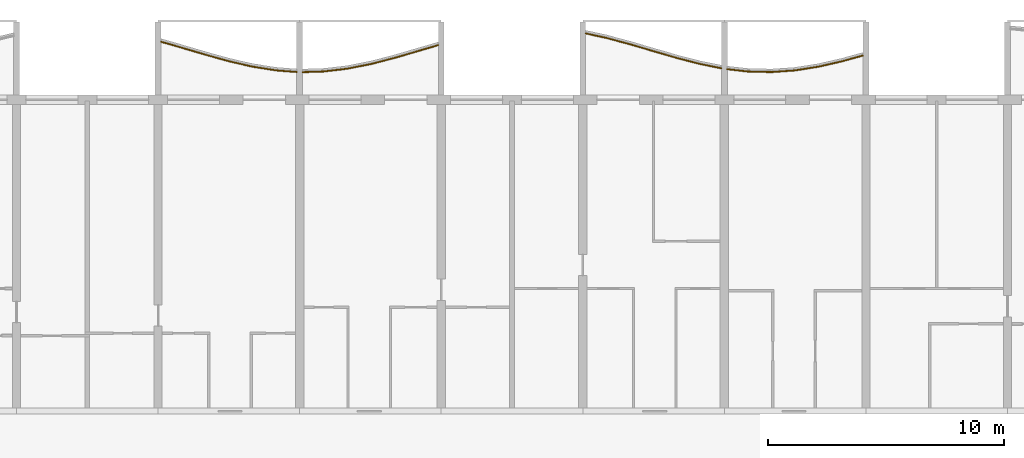
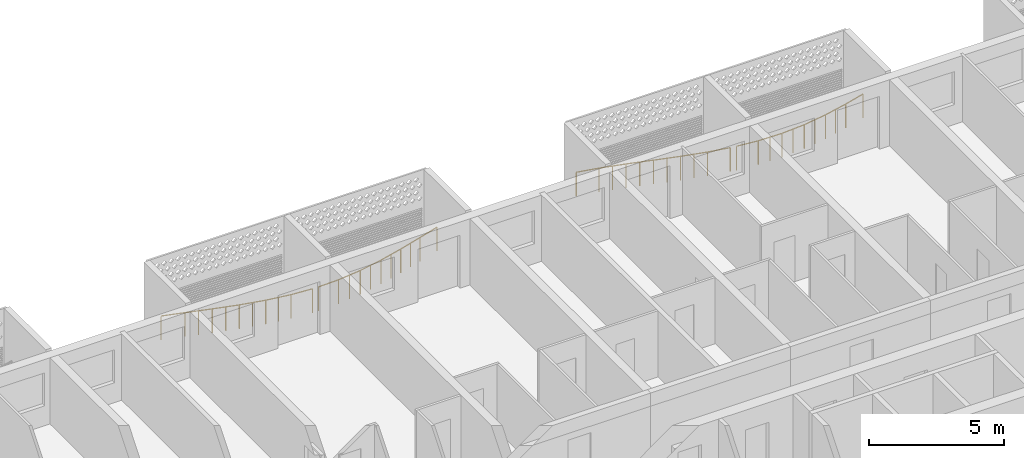
# One storey, part 19 of 24: 4 railings.
"""IFC4 building model written with IfcOpenShell, lengths in metres."""

import ifcopenshell
import ifcopenshell.guid

model = None  # the IFC model being written
_history = None  # IfcOwnerHistory: only IFC2X3 demands one
_inside = {}  # id of a spatial element -> (the spatial element, [elements in it])
_under = {}  # id of a project, library or spatial element -> (it, [spatial elements below it])
_declared = {}  # id of a project -> (the project, [libraries it declares])
_typed = {}  # id of a type object -> (the type object, [elements of that type])
_made_of = {}  # id of a material, layer set ... -> (it, [elements and type objects made of it])


def new_model(schema):
    """Start an empty IFC model of exactly this schema.

    Asked for "IFC4X3", IfcOpenShell would pick the latest addendum, in which some entities
    have other attributes; the version numbers below select the first issue.
    IFC2X3 requires an IfcOwnerHistory on every rooted entity: one is made here for all.
    """
    global model, _history
    if schema == "IFC4X3":
        model = ifcopenshell.file(schema_version=(4, 3, 0, 0))
    else:
        model = ifcopenshell.file(schema=schema)
    _inside.clear()
    _under.clear()
    _declared.clear()
    _typed.clear()
    _made_of.clear()
    _history = None
    if model.schema == "IFC2X3":
        org = make("IfcOrganization", Name="unknown")
        user = make(
            "IfcPersonAndOrganization",
            ThePerson=make("IfcPerson", FamilyName="unknown"),
            TheOrganization=org,
        )
        app = make(
            "IfcApplication",
            ApplicationDeveloper=org,
            Version="unknown",
            ApplicationFullName="unknown",
            ApplicationIdentifier="unknown",
        )
        _history = make(
            "IfcOwnerHistory",
            OwningUser=user,
            OwningApplication=app,
            ChangeAction="ADDED",
            CreationDate=0,
        )
    return model


def make(cls, **values):
    """One entity of the class cls with the attributes given. An attribute that is None is left unset."""
    return model.create_entity(
        cls, **{name: value for name, value in values.items() if value is not None}
    )


def rooted(cls, **values):
    """An entity with a GlobalId (a new one), such as an element, a storey or a relation."""
    return make(cls, GlobalId=ifcopenshell.guid.new(), OwnerHistory=_history, **values)


def si_unit(unit_type, name, prefix=None):
    """IfcSIUnit, for example si_unit("LENGTHUNIT", "METRE", prefix="MILLI")."""
    return make("IfcSIUnit", UnitType=unit_type, Prefix=prefix, Name=name)


def assignment(units):
    """IfcUnitAssignment: the units of a project."""
    return None if units is None else make("IfcUnitAssignment", Units=units)


def point(xyz):
    """IfcCartesianPoint."""
    return None if xyz is None else make("IfcCartesianPoint", Coordinates=xyz)


def direction(xyz):
    """IfcDirection."""
    return None if xyz is None else make("IfcDirection", DirectionRatios=xyz)


def frame(location, z_axis=None, x_axis=None):
    """IfcAxis2Placement3D, a coordinate frame: its origin and axes. An axis left out is left unset."""
    return make(
        "IfcAxis2Placement3D",
        Location=point(location),
        Axis=direction(z_axis),
        RefDirection=direction(x_axis),
    )


def frame_2d(location, x_axis=None):
    """IfcAxis2Placement2D, a coordinate frame in the plane: its origin and x axis."""
    return make(
        "IfcAxis2Placement2D", Location=point(location), RefDirection=direction(x_axis)
    )


def origin():
    """The frame at (0, 0, 0) with its axes left unset."""
    return frame((0.0, 0.0, 0.0))


def origin_2d():
    """The frame at (0, 0) in the plane with its x axis left unset."""
    return frame_2d((0.0, 0.0))


def place(relative_to, where):
    """IfcLocalPlacement: puts the frame where relative to a parent placement (None: the world)."""
    return make(
        "IfcLocalPlacement", PlacementRelTo=relative_to, RelativePlacement=where
    )


def context(
    kind, dimensions, precision=None, world=None, true_north=None, identifier=None
):
    """IfcGeometricRepresentationContext, for example the 3D "Model" context."""
    return make(
        "IfcGeometricRepresentationContext",
        ContextIdentifier=identifier,
        ContextType=kind,
        CoordinateSpaceDimension=dimensions,
        Precision=precision,
        WorldCoordinateSystem=world,
        TrueNorth=true_north,
    )


def subcontext(parent, identifier, kind, view, scale=None):
    """IfcGeometricRepresentationSubContext, for example "Body" below "Model"."""
    return make(
        "IfcGeometricRepresentationSubContext",
        ContextIdentifier=identifier,
        ContextType=kind,
        ParentContext=parent,
        TargetScale=scale,
        TargetView=view,
    )


def project(units=None, contexts=None):
    """IfcProject with its units and contexts."""
    return rooted(
        "IfcProject",
        Name="project",
        RepresentationContexts=contexts,
        UnitsInContext=assignment(units),
    )


def spatial(cls, under=None, at=None, **own):
    """A site, building, storey or space (cls), placed at a placement, below another one or the project."""
    s = rooted(cls, ObjectPlacement=at, **own)
    if under is not None:
        _under.setdefault(under.id(), (under, []))[1].append(s)
    return s


def profile(cls, at=None, kind="AREA", **sizes):
    """A parametric profile (cls). Its sizes go by their IFC names, for example OverallWidth=200.0."""
    return make(cls, ProfileType=kind, Position=at, **sizes)


def circle(**sizes):
    """IfcCircleProfileDef."""
    return profile("IfcCircleProfileDef", **sizes)


def extrude(swept, where, along, depth):
    """IfcExtrudedAreaSolid: the profile swept, set in the frame where, extruded along a direction by depth."""
    return make(
        "IfcExtrudedAreaSolid",
        SweptArea=swept,
        Position=where,
        ExtrudedDirection=direction(along),
        Depth=depth,
    )


def shape(context_of_items, identifier, shape_type, items):
    """IfcShapeRepresentation: the items that make up one representation, for example the "Body"."""
    return make(
        "IfcShapeRepresentation",
        ContextOfItems=context_of_items,
        RepresentationIdentifier=identifier,
        RepresentationType=shape_type,
        Items=items,
    )


def material(Name=None, Category=None):
    """IfcMaterial."""
    return make("IfcMaterial", Name=Name, Category=Category)


def made_of(thing, what):
    """Note that an element or type object is made of a material, layer set ...; save() writes the relation."""
    if what is not None:
        _made_of.setdefault(what.id(), (what, []))[1].append(thing)
    return thing


def type_object(cls, material=None, **own):
    """A type object (cls), such as IfcWallType, which elements share."""
    return made_of(rooted(cls, **own), material)


def element(
    cls,
    number,
    at=None,
    inside=None,
    cuts=None,
    type_object=None,
    material=None,
    context=None,
    identifier="Body",
    shape_type=None,
    held_by="IfcProductDefinitionShape",
    body=None,
    shapes=None,
    **own,
):
    """One element of the class cls, such as IfcWall. Its Tag is "e" and its number.

    at: its placement. inside: the storey or other place that contains it. cuts: it is an
    opening in that element (IfcRelVoidsElement). A single representation is given by context,
    identifier, shape_type and body (its items); several are given by shapes. held_by: the class
    of the entity that holds the representations. save() writes the other relations.
    """
    e = rooted(cls, Tag="e%d" % number, ObjectPlacement=at, **own)
    if body is not None:
        shapes = [shape(context, identifier, shape_type, body)]
    if shapes is not None:
        e.Representation = make(held_by, Representations=shapes)
    if inside is not None:
        _inside.setdefault(inside.id(), (inside, []))[1].append(e)
    if cuts is not None:
        rooted(
            "IfcRelVoidsElement", RelatingBuildingElement=cuts, RelatedOpeningElement=e
        )
    if type_object is not None:
        _typed.setdefault(type_object.id(), (type_object, []))[1].append(e)
    return made_of(e, material)


def aggregate(whole, parts):
    """IfcRelAggregates: a whole, such as a stair, and the parts it consists of."""
    return rooted("IfcRelAggregates", RelatingObject=whole, RelatedObjects=parts)


def save(model, path):
    """Write the relations noted so far, then the file.

    IfcRelAggregates (storeys below a building ...), IfcRelContainedInSpatialStructure (elements
    in a storey), IfcRelDefinesByType, IfcRelAssociatesMaterial and IfcRelDeclares: one each for
    every whole, place, type object, material and project.
    """
    for whole, parts in _under.values():
        aggregate(whole, parts)
    for where, things in _inside.values():
        rooted(
            "IfcRelContainedInSpatialStructure",
            RelatedElements=things,
            RelatingStructure=where,
        )
    for kind, things in _typed.values():
        rooted("IfcRelDefinesByType", RelatedObjects=things, RelatingType=kind)
    for what, things in _made_of.values():
        rooted("IfcRelAssociatesMaterial", RelatedObjects=things, RelatingMaterial=what)
    for by, libraries in _declared.values():
        rooted("IfcRelDeclares", RelatingContext=by, RelatedDefinitions=libraries)
    model.write(path)


model = new_model("IFC4")

# Units and contexts
model_context = context("Model", 3, precision=1e-05, world=origin(), true_north=direction((0.0, 1.0)))
body_context = subcontext(model_context, "Body", "Model", "MODEL_VIEW")
ifc_project = project(units=[si_unit("LENGTHUNIT", "METRE"), si_unit("AREAUNIT", "SQUARE_METRE"), si_unit("VOLUMEUNIT", "CUBIC_METRE"), si_unit("PLANEANGLEUNIT", "RADIAN"), si_unit("MASSUNIT", "GRAM", prefix="KILO")], contexts=[model_context])

# Site, building, storey
site_placement = place(None, origin())
site = spatial("IfcSite", under=ifc_project, at=site_placement, CompositionType="ELEMENT")
building_placement = place(site_placement, origin())
building = spatial("IfcBuilding", under=site, at=building_placement, Name="Poui Terraces", CompositionType="ELEMENT")
storey_placement = place(building_placement, frame((0.0, 0.0, 102.60009765625)))
storey = spatial("IfcBuildingStorey", under=building, at=storey_placement, Name="L28", CompositionType="ELEMENT", Elevation=102.60009765625)

# Railings
ifc_material = material(Name="Painted steel fretwork", Category="steel")
railing_type = type_object("IfcRailingType", Name="BALCONY GUARD 1100", PredefinedType="GUARDRAIL", material=ifc_material)
railing_1_placement = place(storey_placement, frame((36.125, 46.0576171875, 0.0)))
element("IfcRailing", 1, at=railing_1_placement, inside=storey, type_object=railing_type, Name="BALCONY GUARD", PredefinedType="GUARDRAIL", context=body_context, shape_type="SweptSolid", body=[
    extrude(circle(Radius=0.02392578125, at=origin_2d()), frame((0.0, 0.0, 1.076171875), z_axis=(0.961168944086, -0.275960614806, 0.0), x_axis=(0.275960614806, 0.961168944086, 0.0)), (0.0, 0.0, 1.0), 0.910400390625),
    extrude(circle(Radius=0.02392578125, at=origin_2d()), frame((0.875, -0.251220703125, 1.076171875), z_axis=(0.958774495191, -0.284168026651, 0.0), x_axis=(0.284168026651, 0.958774495191, 0.0)), (0.0, 0.0, 1.0), 1.04296875),
    extrude(circle(Radius=0.02392578125, at=origin_2d()), frame((1.875, -0.547607421875, 1.076171875), z_axis=(0.963565078544, -0.267473997633, 0.0), x_axis=(0.267473997633, 0.963565078544, 0.0)), (0.0, 0.0, 1.0), 1.037841796875),
    extrude(circle(Radius=0.02392578125, at=origin_2d()), frame((2.875, -0.8251953125, 1.076171875), z_axis=(0.974611291341, -0.223903619422, 0.0), x_axis=(0.223903619422, 0.974611291341, 0.0)), (0.0, 0.0, 1.0), 1.026123046875),
    extrude(circle(Radius=0.02392578125, at=origin_2d()), frame((3.875, -1.054931640625, 1.076171875), z_axis=(0.987641453623, -0.156730211146, 0.0), x_axis=(0.156730211146, 0.987641453623, 0.0)), (0.0, 0.0, 1.0), 1.012451171875),
    extrude(circle(Radius=0.02392578125, at=origin_2d()), frame((4.875, -1.213623046875, 1.076171875), z_axis=(0.997047936125, -0.076781593295, 0.0), x_axis=(0.076781593295, 0.997047936125, 0.0)), (0.0, 0.0, 1.0), 0.877685546875),
    extrude(circle(Radius=0.02099609375, at=origin_2d()), origin(), (0.0, 0.0, 1.0), 1.052001953125),
    extrude(circle(Radius=0.02099609375, at=origin_2d()), frame((0.875, -0.251220703125, 0.0)), (0.0, 0.0, 1.0), 1.052001953125),
    extrude(circle(Radius=0.02099609375, at=origin_2d()), frame((1.375, -0.3994140625, 0.0)), (0.0, 0.0, 1.0), 1.052001953125),
    extrude(circle(Radius=0.02099609375, at=origin_2d()), frame((1.875, -0.547607421875, 0.0)), (0.0, 0.0, 1.0), 1.052001953125),
    extrude(circle(Radius=0.02099609375, at=origin_2d()), frame((2.375, -0.6865234375, 0.0)), (0.0, 0.0, 1.0), 1.052001953125),
    extrude(circle(Radius=0.02099609375, at=origin_2d()), frame((2.875, -0.8251953125, 0.0)), (0.0, 0.0, 1.0), 1.052001953125),
    extrude(circle(Radius=0.02099609375, at=origin_2d()), frame((3.375, -0.93994140625, 0.0)), (0.0, 0.0, 1.0), 1.052001953125),
    extrude(circle(Radius=0.02099609375, at=origin_2d()), frame((3.875, -1.054931640625, 0.0)), (0.0, 0.0, 1.0), 1.052001953125),
    extrude(circle(Radius=0.02099609375, at=origin_2d()), frame((4.375, -1.13427734375, 0.0)), (0.0, 0.0, 1.0), 1.052001953125),
    extrude(circle(Radius=0.02099609375, at=origin_2d()), frame((4.875, -1.213623046875, 0.0)), (0.0, 0.0, 1.0), 1.052001953125),
    extrude(circle(Radius=0.02099609375, at=origin_2d()), frame((5.75, -1.281005859375, 0.0)), (0.0, 0.0, 1.0), 1.052001953125),
])
railing_2_placement = place(storey_placement, frame((42.125, 44.770751953125, 0.0)))
element("IfcRailing", 2, at=railing_2_placement, inside=storey, type_object=railing_type, Name="BALCONY GUARD", PredefinedType="GUARDRAIL", context=body_context, shape_type="SweptSolid", body=[
    extrude(circle(Radius=0.02392578125, at=origin_2d()), frame((0.0, 0.0, 1.076171875), z_axis=(0.999554639848, 0.029841614527, 0.0), x_axis=(-0.029841614527, 0.999554639848, 0.0)), (0.0, 0.0, 1.0), 0.87548828125),
    extrude(circle(Radius=0.02392578125, at=origin_2d()), frame((0.875, 0.026123046875, 1.076171875), z_axis=(0.993315142472, 0.11543408394, 0.0), x_axis=(-0.11543408394, 0.993315142472, 0.0)), (0.0, 0.0, 1.0), 1.0068359375),
    extrude(circle(Radius=0.02392578125, at=origin_2d()), frame((1.875, 0.142333984375, 1.076171875), z_axis=(0.981138637459, 0.19330539073, 0.0), x_axis=(-0.19330539073, 0.981138637459, 0.0)), (0.0, 0.0, 1.0), 1.019287109375),
    extrude(circle(Radius=0.02392578125, at=origin_2d()), frame((2.875, 0.33935546875, 1.076171875), z_axis=(0.968564592705, 0.248762195197, 0.0), x_axis=(-0.248762195197, 0.968564592705, 0.0)), (0.0, 0.0, 1.0), 1.032470703125),
    extrude(circle(Radius=0.02392578125, at=origin_2d()), frame((3.875, 0.59619140625, 1.076171875), z_axis=(0.960230728662, 0.279207714316, 0.0), x_axis=(-0.279207714316, 0.960230728662, 0.0)), (0.0, 0.0, 1.0), 1.04150390625),
    extrude(circle(Radius=0.02392578125, at=origin_2d()), frame((4.875, 0.886962890625, 1.076171875), z_axis=(0.958938355514, 0.283614580593, 0.0), x_axis=(-0.283614580593, 0.958938355514, 0.0)), (0.0, 0.0, 1.0), 0.912353515625),
    extrude(circle(Radius=0.02099609375, at=origin_2d()), origin(), (0.0, 0.0, 1.0), 1.052001953125),
    extrude(circle(Radius=0.02099609375, at=origin_2d()), frame((0.875, 0.026123046875, 0.0)), (0.0, 0.0, 1.0), 1.052001953125),
    extrude(circle(Radius=0.02099609375, at=origin_2d()), frame((1.375, 0.084228515625, 0.0)), (0.0, 0.0, 1.0), 1.052001953125),
    extrude(circle(Radius=0.02099609375, at=origin_2d()), frame((1.875, 0.142333984375, 0.0)), (0.0, 0.0, 1.0), 1.052001953125),
    extrude(circle(Radius=0.02099609375, at=origin_2d()), frame((2.375, 0.24072265625, 0.0)), (0.0, 0.0, 1.0), 1.052001953125),
    extrude(circle(Radius=0.02099609375, at=origin_2d()), frame((2.875, 0.33935546875, 0.0)), (0.0, 0.0, 1.0), 1.052001953125),
    extrude(circle(Radius=0.02099609375, at=origin_2d()), frame((3.375, 0.4677734375, 0.0)), (0.0, 0.0, 1.0), 1.052001953125),
    extrude(circle(Radius=0.02099609375, at=origin_2d()), frame((3.875, 0.59619140625, 0.0)), (0.0, 0.0, 1.0), 1.052001953125),
    extrude(circle(Radius=0.02099609375, at=origin_2d()), frame((4.375, 0.74169921875, 0.0)), (0.0, 0.0, 1.0), 1.052001953125),
    extrude(circle(Radius=0.02099609375, at=origin_2d()), frame((4.875, 0.886962890625, 0.0)), (0.0, 0.0, 1.0), 1.052001953125),
    extrude(circle(Radius=0.02099609375, at=origin_2d()), frame((5.75, 1.145751953125, 0.0)), (0.0, 0.0, 1.0), 1.052001953125),
])
railing_3_placement = place(storey_placement, frame((54.125, 46.41162109375, 0.0)))
element("IfcRailing", 3, at=railing_3_placement, inside=storey, type_object=railing_type, Name="BALCONY GUARD", PredefinedType="GUARDRAIL", context=body_context, shape_type="SweptSolid", body=[
    extrude(circle(Radius=0.02392578125, at=origin_2d()), frame((0.0, 0.0, 1.076171875), z_axis=(0.97695688845, -0.213436730931, 0.0), x_axis=(0.213436730931, 0.97695688845, 0.0)), (0.0, 0.0, 1.0), 0.895751953125),
    extrude(circle(Radius=0.02392578125, at=origin_2d()), frame((0.875, -0.191162109375, 1.076171875), z_axis=(0.965897516379, -0.258924676022, 0.0), x_axis=(0.258924676022, 0.965897516379, 0.0)), (0.0, 0.0, 1.0), 1.035400390625),
    extrude(circle(Radius=0.02392578125, at=origin_2d()), frame((1.875, -0.459228515625, 1.076171875), z_axis=(0.959219941058, -0.282660758998, 0.0), x_axis=(0.282660758998, 0.959219941058, 0.0)), (0.0, 0.0, 1.0), 1.04248046875),
    extrude(circle(Radius=0.02392578125, at=origin_2d()), frame((2.875, -0.75390625, 1.076171875), z_axis=(0.960230728662, -0.279207714316, 0.0), x_axis=(0.279207714316, 0.960230728662, 0.0)), (0.0, 0.0, 1.0), 1.04150390625),
    extrude(circle(Radius=0.02392578125, at=origin_2d()), frame((3.875, -1.044677734375, 1.076171875), z_axis=(0.968564592705, -0.248762195197, 0.0), x_axis=(0.248762195197, 0.968564592705, 0.0)), (0.0, 0.0, 1.0), 1.032470703125),
    extrude(circle(Radius=0.02392578125, at=origin_2d()), frame((4.875, -1.301513671875, 1.076171875), z_axis=(0.980253214179, -0.197746393374, 0.0), x_axis=(0.197746393374, 0.980253214179, 0.0)), (0.0, 0.0, 1.0), 0.892578125),
    extrude(circle(Radius=0.02099609375, at=origin_2d()), origin(), (0.0, 0.0, 1.0), 1.052001953125),
    extrude(circle(Radius=0.02099609375, at=origin_2d()), frame((0.875, -0.191162109375, 0.0)), (0.0, 0.0, 1.0), 1.052001953125),
    extrude(circle(Radius=0.02099609375, at=origin_2d()), frame((1.375, -0.3251953125, 0.0)), (0.0, 0.0, 1.0), 1.052001953125),
    extrude(circle(Radius=0.02099609375, at=origin_2d()), frame((1.875, -0.459228515625, 0.0)), (0.0, 0.0, 1.0), 1.052001953125),
    extrude(circle(Radius=0.02099609375, at=origin_2d()), frame((2.375, -0.6064453125, 0.0)), (0.0, 0.0, 1.0), 1.052001953125),
    extrude(circle(Radius=0.02099609375, at=origin_2d()), frame((2.875, -0.75390625, 0.0)), (0.0, 0.0, 1.0), 1.052001953125),
    extrude(circle(Radius=0.02099609375, at=origin_2d()), frame((3.375, -0.8994140625, 0.0)), (0.0, 0.0, 1.0), 1.052001953125),
    extrude(circle(Radius=0.02099609375, at=origin_2d()), frame((3.875, -1.044677734375, 0.0)), (0.0, 0.0, 1.0), 1.052001953125),
    extrude(circle(Radius=0.02099609375, at=origin_2d()), frame((4.375, -1.173095703125, 0.0)), (0.0, 0.0, 1.0), 1.052001953125),
    extrude(circle(Radius=0.02099609375, at=origin_2d()), frame((4.875, -1.301513671875, 0.0)), (0.0, 0.0, 1.0), 1.052001953125),
    extrude(circle(Radius=0.02099609375, at=origin_2d()), frame((5.75, -1.47802734375, 0.0)), (0.0, 0.0, 1.0), 1.052001953125),
])
railing_4_placement = place(storey_placement, frame((60.125, 44.893798828125, 0.0)))
element("IfcRailing", 4, at=railing_4_placement, inside=storey, type_object=railing_type, Name="BALCONY GUARD", PredefinedType="GUARDRAIL", context=body_context, shape_type="SweptSolid", body=[
    extrude(circle(Radius=0.02392578125, at=origin_2d()), frame((0.0, 0.0, 1.076171875), z_axis=(0.993920879966, -0.110096704617, 0.0), x_axis=(0.110096704617, 0.993920879966, 0.0)), (0.0, 0.0, 1.0), 0.88037109375),
    extrude(circle(Radius=0.02392578125, at=origin_2d()), frame((0.875, -0.096923828125, 1.076171875), z_axis=(0.999713901321, -0.023918936116, 0.0), x_axis=(0.023918936116, 0.999713901321, 0.0)), (0.0, 0.0, 1.0), 1.000244140625),
    extrude(circle(Radius=0.02392578125, at=origin_2d()), frame((1.875, -0.120849609375, 1.076171875), z_axis=(0.997485823051, 0.07086630237, 0.0), x_axis=(-0.07086630237, 0.997485823051, 0.0)), (0.0, 0.0, 1.0), 1.00244140625),
    extrude(circle(Radius=0.02392578125, at=origin_2d()), frame((2.875, -0.0498046875, 1.076171875), z_axis=(0.987641453623, 0.156730211146, 0.0), x_axis=(-0.156730211146, 0.987641453623, 0.0)), (0.0, 0.0, 1.0), 1.012451171875),
    extrude(circle(Radius=0.02392578125, at=origin_2d()), frame((3.875, 0.10888671875, 1.076171875), z_axis=(0.974611291341, 0.223903619422, 0.0), x_axis=(-0.223903619422, 0.974611291341, 0.0)), (0.0, 0.0, 1.0), 1.026123046875),
    extrude(circle(Radius=0.02392578125, at=origin_2d()), frame((4.875, 0.338623046875, 1.076171875), z_axis=(0.964040158049, 0.265756606069, 0.0), x_axis=(-0.265756606069, 0.964040158049, 0.0)), (0.0, 0.0, 1.0), 0.90771484375),
    extrude(circle(Radius=0.02099609375, at=origin_2d()), origin(), (0.0, 0.0, 1.0), 1.052001953125),
    extrude(circle(Radius=0.02099609375, at=origin_2d()), frame((0.875, -0.096923828125, 0.0)), (0.0, 0.0, 1.0), 1.052001953125),
    extrude(circle(Radius=0.02099609375, at=origin_2d()), frame((1.375, -0.10888671875, 0.0)), (0.0, 0.0, 1.0), 1.052001953125),
    extrude(circle(Radius=0.02099609375, at=origin_2d()), frame((1.875, -0.120849609375, 0.0)), (0.0, 0.0, 1.0), 1.052001953125),
    extrude(circle(Radius=0.02099609375, at=origin_2d()), frame((2.375, -0.08544921875, 0.0)), (0.0, 0.0, 1.0), 1.052001953125),
    extrude(circle(Radius=0.02099609375, at=origin_2d()), frame((2.875, -0.0498046875, 0.0)), (0.0, 0.0, 1.0), 1.052001953125),
    extrude(circle(Radius=0.02099609375, at=origin_2d()), frame((3.375, 0.029541015625, 0.0)), (0.0, 0.0, 1.0), 1.052001953125),
    extrude(circle(Radius=0.02099609375, at=origin_2d()), frame((3.875, 0.10888671875, 0.0)), (0.0, 0.0, 1.0), 1.052001953125),
    extrude(circle(Radius=0.02099609375, at=origin_2d()), frame((4.375, 0.2236328125, 0.0)), (0.0, 0.0, 1.0), 1.052001953125),
    extrude(circle(Radius=0.02099609375, at=origin_2d()), frame((4.875, 0.338623046875, 0.0)), (0.0, 0.0, 1.0), 1.052001953125),
    extrude(circle(Radius=0.02099609375, at=origin_2d()), frame((5.75, 0.579833984375, 0.0)), (0.0, 0.0, 1.0), 1.052001953125),
])

save(model, "model.ifc")
